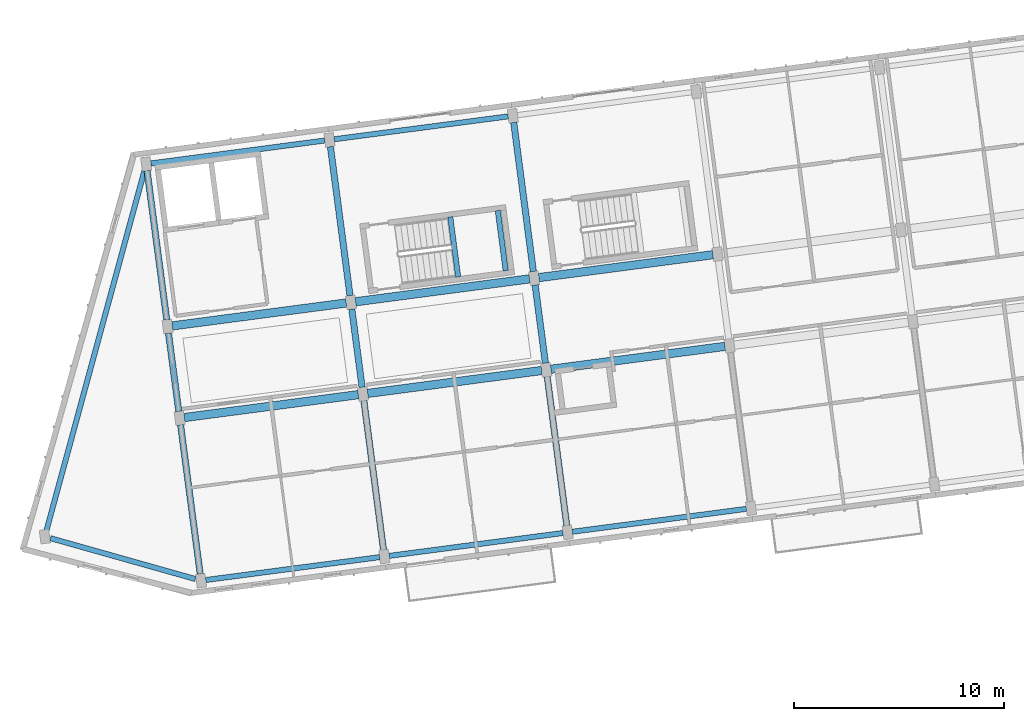
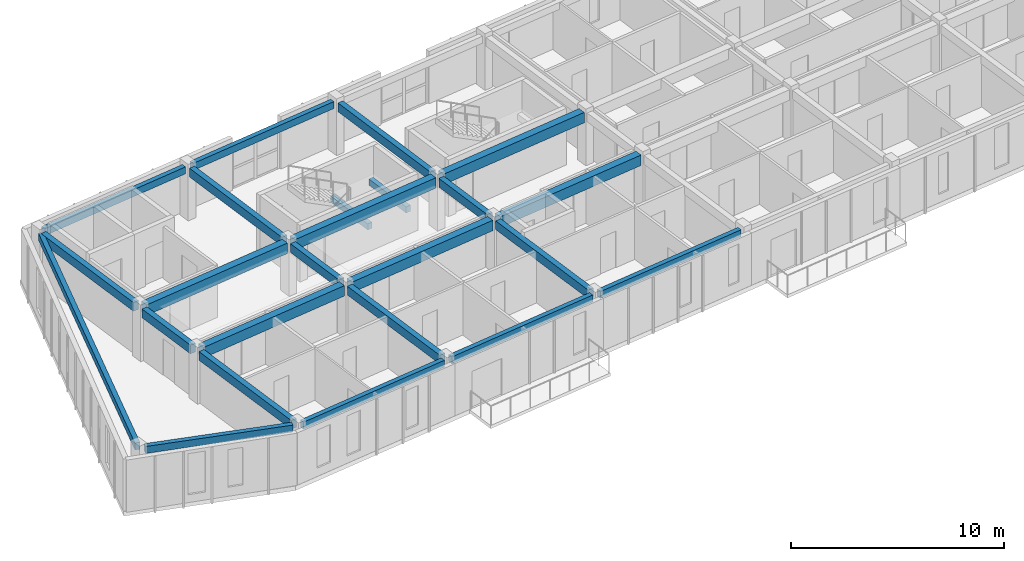
# One storey, part 3 of 45: 24 beams.
"""IFC4 building model written with IfcOpenShell, lengths in metres."""

from ifc_helpers import new_model, si_unit, direction, frame, origin, origin_2d, place, context, subcontext, project, spatial, rectangle, extrude, material, material_profile, profile_set, type_object, element, save


model = new_model("IFC4")

# Units and contexts
model_context = context("Model", 3, precision=1e-05, world=origin(), true_north=direction((0.0, 1.0)))
body_context = subcontext(model_context, "Body", "Model", "MODEL_VIEW")
ifc_project = project(units=[si_unit("LENGTHUNIT", "METRE"), si_unit("AREAUNIT", "SQUARE_METRE"), si_unit("VOLUMEUNIT", "CUBIC_METRE"), si_unit("PLANEANGLEUNIT", "RADIAN"), si_unit("MASSUNIT", "GRAM", prefix="KILO")], contexts=[model_context])

# Site, building, storey
site_placement = place(None, origin())
site = spatial("IfcSite", under=ifc_project, at=site_placement, CompositionType="ELEMENT")
building_placement = place(site_placement, origin())
building = spatial("IfcBuilding", under=site, at=building_placement, Name="Kestramere Prow Commons", CompositionType="ELEMENT")
storey_placement = place(building_placement, frame((0.0, 0.0, 31.14990234375)))
storey = spatial("IfcBuildingStorey", under=building, at=storey_placement, Name="L09", CompositionType="ELEMENT", Elevation=31.14990234375)

# Beams
ifc_material_1 = material(Name="Precast concrete C40/50", Category="concrete")
ifc_material_profile_1 = material_profile(ifc_material_1, rectangle(XDim=0.39990234375, YDim=0.60009765625, at=origin_2d()), Name="PC-BM 400x600")
ifc_profile_set_1 = profile_set([ifc_material_profile_1], Name="Precast concrete C40/50")
beam_type_1 = type_object("IfcBeamType", Name="BM-A1 PC-BM 400x600", PredefinedType="BEAM", material=ifc_profile_set_1)
for number, where, z_axis, x_axis, name in (
    (1, (10.405029296875, 79.7626953125, 2.7001953125), (0.991445635283, 0.13052031366, 0.0), (-0.13052031366, 0.991445635283, 0.0), "Block A L09 Longitudinal Beam 2-1"),
    (2, (19.129638671875, 80.911376953125, 2.7001953125), (0.991445635283, 0.13052031366, 0.0), (-0.13052031366, 0.991445635283, 0.0), "Block A L09 Longitudinal Beam 2-2"),
    (3, (27.8544921875, 82.059814453125, 2.7001953125), (0.991441851318, 0.130549053825, 0.0), (-0.130549053825, 0.991441851318, 0.0), "Block A L09 Longitudinal Beam 2-3"),
    (4, (9.83056640625, 84.125, 2.7001953125), (0.991445635283, 0.13052031366, 0.0), (-0.13052031366, 0.991445635283, 0.0), "Block A L09 Longitudinal Beam 3-1"),
    (5, (18.555419921875, 85.273681640625, 2.7001953125), (0.991445635283, 0.13052031366, 0.0), (-0.13052031366, 0.991445635283, 0.0), "Block A L09 Longitudinal Beam 3-2"),
    (6, (27.280029296875, 86.42236328125, 2.7001953125), (0.991445635283, 0.13052031366, 0.0), (-0.13052031366, 0.991445635283, 0.0), "Block A L09 Longitudinal Beam 3-3"),
):
    element("IfcBeam", number, at=place(storey_placement, frame(where, z_axis=z_axis, x_axis=x_axis)), inside=storey, type_object=beam_type_1, Name=name, PredefinedType="BEAM", context=body_context, shape_type="SweptSolid", body=[
        extrude(rectangle(XDim=0.39990234375, YDim=0.60009765625, at=origin_2d()), origin(), (0.0, 0.0, 1.0), 8.35009765625),
    ])
ifc_material_2 = material(Name="Concrete C40/50", Category="concrete")
ifc_material_profile_2 = material_profile(ifc_material_2, rectangle(XDim=0.25, YDim=0.35009765625, at=origin_2d()), Name="PC-BM 250x350")
ifc_profile_set_2 = profile_set([ifc_material_profile_2], Name="Concrete C40/50")
beam_type_2 = type_object("IfcBeamType", Name="BM-ST-TRIM", PredefinedType="BEAM", material=ifc_profile_set_2)
for number, where, z_axis, x_axis, name in (
    (7, (23.4384765625, 86.451171875, 1.25), (-0.130520071219, 0.9914456672, 0.0), (-0.9914456672, -0.130520071219, 0.0), "ST-A1 L09 Landing Trimmer Beam 1A"),
    (8, (25.698974609375, 86.748779296875, 1.25), (-0.130520071219, 0.9914456672, 0.0), (-0.9914456672, -0.130520071219, 0.0), "ST-A1 L09 Landing Trimmer Beam 1B"),
):
    element("IfcBeam", number, at=place(storey_placement, frame(where, z_axis=z_axis, x_axis=x_axis)), inside=storey, type_object=beam_type_2, Name=name, PredefinedType="BEAM", context=body_context, shape_type="SweptSolid", body=[
        extrude(rectangle(XDim=0.25, YDim=0.35009765625, at=origin_2d()), origin(), (0.0, 0.0, 1.0), 2.889892578125),
    ])
ifc_material_profile_3 = material_profile(ifc_material_1, rectangle(XDim=0.300048828125, YDim=0.5, at=origin_2d()), Name="PC-BM 300x500")
ifc_profile_set_3 = profile_set([ifc_material_profile_3], Name="Precast concrete C40/50")
beam_type_3 = type_object("IfcBeamType", Name="BM-TIE-01 PC-BM 300x500", PredefinedType="BEAM", material=ifc_profile_set_3)
beam_1_placement = place(storey_placement, frame((11.157470703125, 72.322265625, 2.75), z_axis=(-0.130503975686, 0.991447785983, 0.0), x_axis=(-0.991447785983, -0.130503975686, 0.0)))
element("IfcBeam", 9, at=beam_1_placement, inside=storey, type_object=beam_type_3, Name="Block A L09 Transverse Beam 1-1", PredefinedType="BEAM", context=body_context, shape_type="SweptSolid", body=[
    extrude(rectangle(XDim=0.300048828125, YDim=0.5, at=origin_2d()), origin(), (0.0, 0.0, 1.0), 7.14990234375),
])
beam_2_placement = place(storey_placement, frame((10.139404296875, 80.055419921875, 2.75), z_axis=(-0.130530295097, 0.991444321211, 0.0), x_axis=(-0.991444321211, -0.130530295097, 0.0)))
element("IfcBeam", 10, at=beam_2_placement, inside=storey, type_object=beam_type_3, Name="Block A L09 Transverse Beam 1-2", PredefinedType="BEAM", context=body_context, shape_type="SweptSolid", body=[
    extrude(rectangle(XDim=0.300048828125, YDim=0.5, at=origin_2d()), origin(), (0.0, 0.0, 1.0), 3.75),
])
for number, where, z_axis, x_axis, name in (
    (11, (9.565185546875, 84.41796875, 2.75), (-0.130541958643, 0.991442785557, 0.0), (-0.991442785557, -0.130541958643, 0.0), "Block A L09 Transverse Beam 1-3"),
    (12, (19.88232421875, 73.470947265625, 2.75), (-0.130541958643, 0.991442785557, 0.0), (-0.991442785557, -0.130541958643, 0.0), "Block A L09 Transverse Beam 2-1"),
):
    element("IfcBeam", number, at=place(storey_placement, frame(where, z_axis=z_axis, x_axis=x_axis)), inside=storey, type_object=beam_type_3, Name=name, PredefinedType="BEAM", context=body_context, shape_type="SweptSolid", body=[
        extrude(rectangle(XDim=0.300048828125, YDim=0.5, at=origin_2d()), origin(), (0.0, 0.0, 1.0), 7.14990234375),
    ])
beam_3_placement = place(storey_placement, frame((18.8642578125, 81.2041015625, 2.75), z_axis=(-0.130530295097, 0.991444321211, 0.0), x_axis=(-0.991444321211, -0.130530295097, 0.0)))
element("IfcBeam", 13, at=beam_3_placement, inside=storey, type_object=beam_type_3, Name="Block A L09 Transverse Beam 2-2", PredefinedType="BEAM", context=body_context, shape_type="SweptSolid", body=[
    extrude(rectangle(XDim=0.300048828125, YDim=0.5, at=origin_2d()), origin(), (0.0, 0.0, 1.0), 3.75),
])
for number, where, z_axis, x_axis, name in (
    (14, (18.289794921875, 85.56640625, 2.75), (-0.130503975686, 0.991447785983, 0.0), (-0.991447785983, -0.130503975686, 0.0), "Block A L09 Transverse Beam 2-3"),
    (15, (28.60693359375, 74.619384765625, 2.75), (-0.130503975686, 0.991447785983, 0.0), (-0.991447785983, -0.130503975686, 0.0), "Block A L09 Transverse Beam 3-1"),
):
    element("IfcBeam", number, at=place(storey_placement, frame(where, z_axis=z_axis, x_axis=x_axis)), inside=storey, type_object=beam_type_3, Name=name, PredefinedType="BEAM", context=body_context, shape_type="SweptSolid", body=[
        extrude(rectangle(XDim=0.300048828125, YDim=0.5, at=origin_2d()), origin(), (0.0, 0.0, 1.0), 7.14990234375),
    ])
beam_4_placement = place(storey_placement, frame((27.5888671875, 82.352783203125, 2.75), z_axis=(-0.130538720766, 0.991443211879, 0.0), x_axis=(-0.991443211879, -0.130538720766, 0.0)))
element("IfcBeam", 16, at=beam_4_placement, inside=storey, type_object=beam_type_3, Name="Block A L09 Transverse Beam 3-2", PredefinedType="BEAM", context=body_context, shape_type="SweptSolid", body=[
    extrude(rectangle(XDim=0.300048828125, YDim=0.5, at=origin_2d()), origin(), (0.0, 0.0, 1.0), 3.749755859375),
])
beam_5_placement = place(storey_placement, frame((27.0146484375, 86.715087890625, 2.75), z_axis=(-0.130537539388, 0.991443367425, 0.0), x_axis=(-0.991443367425, -0.130537539388, 0.0)))
element("IfcBeam", 17, at=beam_5_placement, inside=storey, type_object=beam_type_3, Name="Block A L09 Transverse Beam 3-3", PredefinedType="BEAM", context=body_context, shape_type="SweptSolid", body=[
    extrude(rectangle(XDim=0.300048828125, YDim=0.5, at=origin_2d()), origin(), (0.0, 0.0, 1.0), 7.150146484375),
])
ifc_material_profile_4 = material_profile(ifc_material_1, rectangle(XDim=0.25, YDim=0.39990234375, at=origin_2d()), Name="PC-SP 250x400")
ifc_profile_set_4 = profile_set([ifc_material_profile_4], Name="Precast concrete C40/50")
beam_type_4 = type_object("IfcBeamType", Name="SP-EXT-01 PC-SP 250x400", PredefinedType="SPANDREL", material=ifc_profile_set_4)
beam_6_placement = place(storey_placement, frame((10.930419921875, 72.075927734375, 2.800048828125), z_axis=(-0.96246176941, 0.271417284681, 0.0), x_axis=(-0.271417284681, -0.96246176941, 0.0)))
element("IfcBeam", 18, at=beam_6_placement, inside=storey, type_object=beam_type_4, Name="Block A L09 Prow Facet Beam S", PredefinedType="SPANDREL", context=body_context, shape_type="SweptSolid", body=[
    extrude(rectangle(XDim=0.25, YDim=0.39990234375, at=origin_2d()), origin(), (0.0, 0.0, 1.0), 7.167236328125),
])
beam_7_placement = place(storey_placement, frame((8.515869140625, 91.558837890625, 2.800048828125), z_axis=(-0.262653591278, -0.964890196338, 0.0), x_axis=(0.964890196338, -0.262653591278, 0.0)))
element("IfcBeam", 19, at=beam_7_placement, inside=storey, type_object=beam_type_4, Name="Block A L09 Prow Facet Beam N", PredefinedType="SPANDREL", context=body_context, shape_type="SweptSolid", body=[
    extrude(rectangle(XDim=0.25, YDim=0.39990234375, at=origin_2d()), origin(), (0.0, 0.0, 1.0), 17.81689453125),
])
for number, where, z_axis, x_axis, name in (
    (20, (11.423095703125, 72.029296875, 2.800048828125), (0.991445635283, 0.13052031366, 0.0), (-0.13052031366, 0.991445635283, 0.0), "Block A L09 Longitudinal Beam 1-1"),
    (21, (20.147705078125, 73.177978515625, 2.800048828125), (0.991445635283, 0.13052031366, 0.0), (-0.13052031366, 0.991445635283, 0.0), "Block A L09 Longitudinal Beam 1-2"),
    (22, (28.87255859375, 74.32666015625, 2.800048828125), (0.991445635283, 0.13052031366, 0.0), (-0.13052031366, 0.991445635283, 0.0), "Block A L09 Longitudinal Beam 1-3"),
    (23, (8.8125, 91.858154296875, 2.800048828125), (0.991441851318, 0.130549053825, 0.0), (-0.130549053825, 0.991441851318, 0.0), "Block A L09 Longitudinal Beam 4-1"),
    (24, (17.537353515625, 93.0068359375, 2.800048828125), (0.991445635283, 0.13052031366, 0.0), (-0.13052031366, 0.991445635283, 0.0), "Block A L09 Longitudinal Beam 4-2"),
):
    element("IfcBeam", number, at=place(storey_placement, frame(where, z_axis=z_axis, x_axis=x_axis)), inside=storey, type_object=beam_type_4, Name=name, PredefinedType="SPANDREL", context=body_context, shape_type="SweptSolid", body=[
        extrude(rectangle(XDim=0.25, YDim=0.39990234375, at=origin_2d()), origin(), (0.0, 0.0, 1.0), 8.35009765625),
    ])

save(model, "model.ifc")
